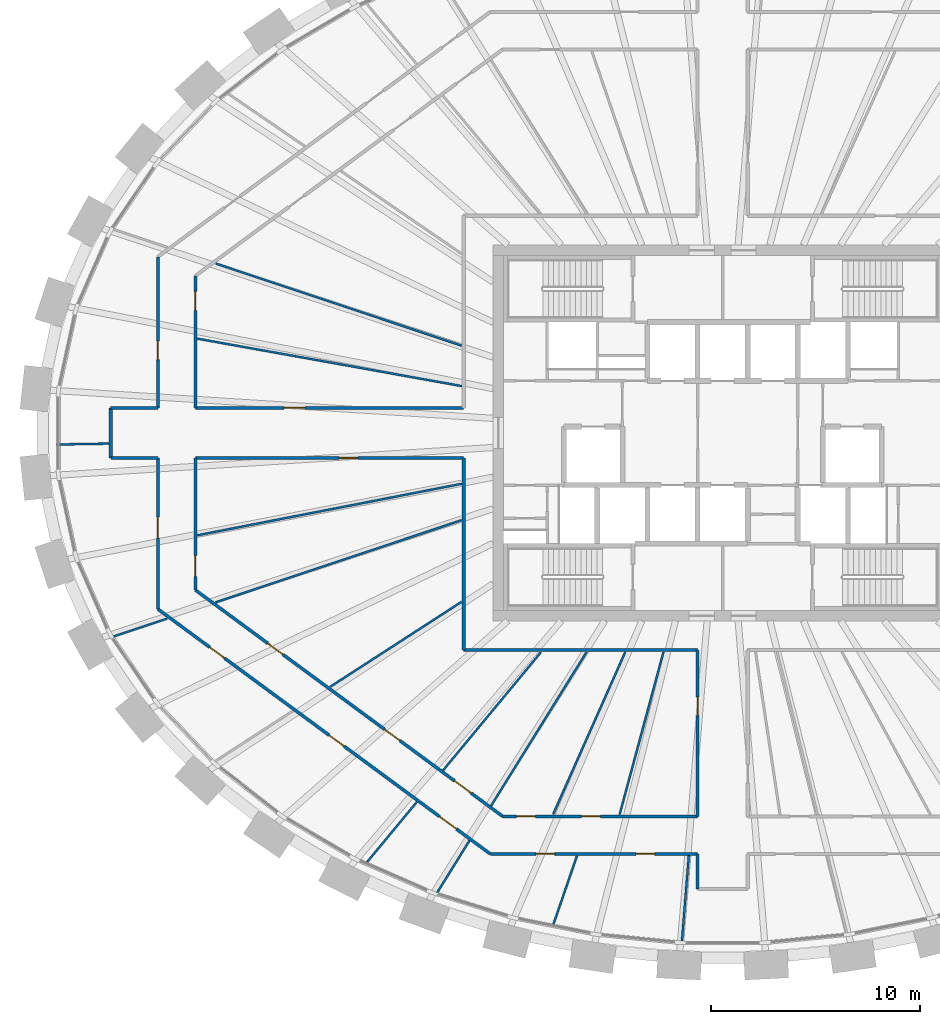
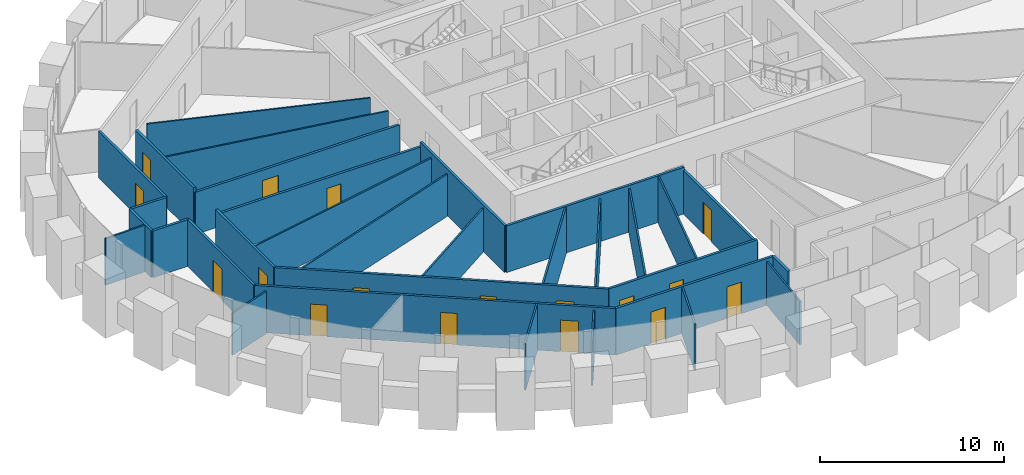
# One storey, part 6 of 12: 32 walls, 17 doors, 17 openings.
"""IFC4 building model written with IfcOpenShell, lengths in metres."""

from ifc_helpers import new_model, si_unit, direction, frame, frame_2d, origin, place, context, subcontext, project, spatial, rectangle, extrude, source, transform, mapped, material, layer, layer_set, type_object, element, fill, save


model = new_model("IFC4")

# Units and contexts
model_context = context("Model", 3, precision=1e-05, world=origin(), true_north=direction((0.0, 1.0)))
body_context = subcontext(model_context, "Body", "Model", "MODEL_VIEW")
ifc_project = project(units=[si_unit("LENGTHUNIT", "METRE"), si_unit("AREAUNIT", "SQUARE_METRE"), si_unit("VOLUMEUNIT", "CUBIC_METRE"), si_unit("PLANEANGLEUNIT", "RADIAN"), si_unit("MASSUNIT", "GRAM", prefix="KILO")], contexts=[model_context])

# Site, building, storey
site_placement = place(None, origin())
site = spatial("IfcSite", under=ifc_project, at=site_placement, CompositionType="ELEMENT")
building_placement = place(site_placement, origin())
building = spatial("IfcBuilding", under=site, at=building_placement, Name="Embergate Tower", CompositionType="ELEMENT")
storey_placement = place(building_placement, frame((0.0, 0.0, 261.699951171875)))
storey = spatial("IfcBuildingStorey", under=building, at=storey_placement, Name="L60", CompositionType="ELEMENT", Elevation=261.699951171875)

# Walls
ifc_material_1 = material(Name="Corridor wall dry-lined 150")
ifc_layer_1 = layer(ifc_material_1, 0.14990234375)
ifc_layer_set_1 = layer_set([ifc_layer_1], Name="Corridor wall dry-lined 150")
wall_type_1 = type_object("IfcWallType", Name="Corridor wall dry-lined 150", PredefinedType="PARTITIONING", material=ifc_layer_set_1)
shared_shape_1 = source(origin(), body_context, "Body", "SweptSolid", [
    extrude(rectangle(XDim=9.199951171875, YDim=0.14990234375, at=frame_2d((4.60009765625, 0.0))), origin(), (0.0, 0.0, 1.0), 3.10009765625),
])
wall_1_placement = place(storey_placement, frame((-12.39990234375, -10.39990234375, 0.0), z_axis=(0.0, 0.0, 1.0), x_axis=(0.0, 1.0, 0.0)))
element("IfcWall", 1, at=wall_1_placement, inside=storey, type_object=wall_type_1, Name="IP-2 wall", PredefinedType="PARTITIONING", context=body_context, shape_type="MappedRepresentation", body=[
    mapped(shared_shape_1, transform((0.0, 0.0, 0.0))),
])
shared_shape_2 = source(origin(), body_context, "Body", "SweptSolid", [
    extrude(rectangle(XDim=11.199951171875, YDim=0.14990234375, at=frame_2d((5.60009765625, 0.0))), origin(), (0.0, 0.0, 1.0), 3.10009765625),
])
wall_2_placement = place(storey_placement, frame((-12.39990234375, -10.39990234375, 0.0), z_axis=(0.0, 0.0, 1.0), x_axis=(1.0, 0.0, 0.0)))
element("IfcWall", 2, at=wall_2_placement, inside=storey, type_object=wall_type_1, Name="IP-2 wall", PredefinedType="PARTITIONING", context=body_context, shape_type="MappedRepresentation", body=[
    mapped(shared_shape_2, transform((0.0, 0.0, 0.0))),
])
shared_shape_3 = source(origin(), body_context, "Body", "SweptSolid", [
    extrude(rectangle(XDim=2.39990234375, YDim=0.14990234375, at=frame_2d((1.199951171875, 0.0))), origin(), (0.0, 0.0, 1.0), 3.10009765625),
])
wall_3_placement = place(storey_placement, frame((-29.300048828125, -1.199951171875, 0.0), z_axis=(0.0, 0.0, 1.0), x_axis=(0.0, 1.0, 0.0)))
element("IfcWall", 3, at=wall_3_placement, inside=storey, type_object=wall_type_1, Name="IP-2 wall", PredefinedType="PARTITIONING", context=body_context, shape_type="MappedRepresentation", body=[
    mapped(shared_shape_3, transform((0.0, 0.0, 0.0))),
])

# Wall, opening, door
shared_shape_4 = source(origin(), body_context, "Body", "SweptSolid", [
    extrude(rectangle(XDim=12.84619140625, YDim=0.14990234375, at=frame_2d((6.423095703125, 0.0))), origin(), (0.0, 0.0, 1.0), 2.800048828125),
])
wall_4_placement = place(storey_placement, frame((-12.39990234375, -1.199951171875, 0.0), z_axis=(0.0, 0.0, 1.0), x_axis=(-1.0, 0.0, 0.0)))
wall_4 = element("IfcWall", 4, at=wall_4_placement, inside=storey, type_object=wall_type_1, Name="IP-2 wall", PredefinedType="PARTITIONING", context=body_context, shape_type="MappedRepresentation", body=[
    mapped(shared_shape_4, transform((0.0, 0.0, 0.0))),
])
shared_shape_5 = source(origin(), body_context, "Body", "SweptSolid", [
    extrude(rectangle(XDim=0.89990234375, YDim=2.10009765625, at=frame_2d((0.449951171875, 1.050048828125))), frame((0.0, 0.0849609375, 0.0), z_axis=(0.0, -1.0, 0.0), x_axis=(1.0, 0.0, 0.0)), (0.0, 0.0, 1.0), 0.169921875),
])
opening_1_placement = place(wall_4_placement, frame((5.06494140625, 0.0, 0.0)))
opening_1 = element("IfcOpeningElement", 5, at=opening_1_placement, cuts=wall_4, Name="Opening IF-1c", PredefinedType="OPENING", context=body_context, shape_type="MappedRepresentation", body=[
    mapped(shared_shape_5, transform((0.0, 0.0, 0.0))),
])
ifc_material_2 = material(Name="Escape fire door 900")
door_type_1 = type_object("IfcDoorType", Name="Escape fire door 900", OperationType="SINGLE_SWING_LEFT", PredefinedType="DOOR", material=ifc_material_2)
shared_shape_6 = source(origin(), body_context, "Body", "SweptSolid", [
    extrude(rectangle(XDim=0.89990234375, YDim=2.10009765625, at=frame_2d((0.449951171875, 1.050048828125))), frame((0.0, 0.02490234375, 0.0), z_axis=(0.0, -1.0, 0.0), x_axis=(1.0, 0.0, 0.0)), (0.0, 0.0, 1.0), 0.050048828125),
])
door_1_placement = place(opening_1_placement, origin())
door_1 = element("IfcDoor", 6, at=door_1_placement, inside=storey, type_object=door_type_1, Name="IF-1 door", OperationType="SINGLE_SWING_RIGHT", OverallHeight=2.10009765625, OverallWidth=0.89990234375, PredefinedType="DOOR", context=body_context, shape_type="MappedRepresentation", body=[
    mapped(shared_shape_6, transform((0.0, 0.0, 0.0))),
])
fill(opening_1, door_1)

wall_5_placement = place(storey_placement, frame((-25.24609375, 1.199951171875, 0.0), z_axis=(0.0, 0.0, 1.0), x_axis=(1.0, 0.0, 0.0)))
wall_5 = element("IfcWall", 7, at=wall_5_placement, inside=storey, type_object=wall_type_1, Name="IP-2 wall", PredefinedType="PARTITIONING", context=body_context, shape_type="MappedRepresentation", body=[
    mapped(shared_shape_4, transform((0.0, 0.0, 0.0))),
])
shared_shape_7 = source(origin(), body_context, "Body", "SweptSolid", [
    extrude(rectangle(XDim=1.0, YDim=2.10009765625, at=frame_2d((0.5, 1.050048828125))), frame((0.0, 0.0849609375, 0.0), z_axis=(0.0, -1.0, 0.0), x_axis=(1.0, 0.0, 0.0)), (0.0, 0.0, 1.0), 0.169921875),
])
opening_2_placement = place(wall_5_placement, frame((4.23583984375, 0.0, 0.0)))
opening_2 = element("IfcOpeningElement", 8, at=opening_2_placement, cuts=wall_5, Name="Opening ID-2", PredefinedType="OPENING", context=body_context, shape_type="MappedRepresentation", body=[
    mapped(shared_shape_7, transform((0.0, 0.0, 0.0))),
])
ifc_material_3 = material(Name="Interior door 1000")
door_type_2 = type_object("IfcDoorType", Name="Interior door 1000", OperationType="SINGLE_SWING_LEFT", PredefinedType="DOOR", material=ifc_material_3)
shared_shape_8 = source(origin(), body_context, "Body", "SweptSolid", [
    extrude(rectangle(XDim=1.0, YDim=2.10009765625, at=frame_2d((0.5, 1.050048828125))), frame((0.0, 0.02490234375, 0.0), z_axis=(0.0, -1.0, 0.0), x_axis=(1.0, 0.0, 0.0)), (0.0, 0.0, 1.0), 0.050048828125),
])
door_2_placement = place(opening_2_placement, origin())
door_2 = element("IfcDoor", 9, at=door_2_placement, inside=storey, type_object=door_type_2, Name="ID-2 door", OperationType="SINGLE_SWING_LEFT", OverallHeight=2.10009765625, OverallWidth=1.0, PredefinedType="DOOR", context=body_context, shape_type="MappedRepresentation", body=[
    mapped(shared_shape_8, transform((0.0, 0.0, 0.0))),
])
fill(opening_2, door_2)

# Walls
ifc_material_4 = material(Name="Partition dry-lined 100")
ifc_layer_2 = layer(ifc_material_4, 0.10009765625)
ifc_layer_set_2 = layer_set([ifc_layer_2], Name="Partition dry-lined 100")
wall_type_2 = type_object("IfcWallType", Name="Partition dry-lined 100", PredefinedType="PARTITIONING", material=ifc_layer_set_2)
shared_shape_9 = source(origin(), body_context, "Body", "SweptSolid", [
    extrude(rectangle(XDim=2.776123046875, YDim=0.10009765625, at=frame_2d((1.38818359375, 0.0))), origin(), (0.0, 0.0, 1.0), 2.800048828125),
])
wall_6_placement = place(storey_placement, frame((-26.59912109375, -8.889892578125, 0.0), z_axis=(0.0, 0.0, 1.0), x_axis=(-0.948410312692, -0.317045546852, 0.0)))
element("IfcWall", 10, at=wall_6_placement, inside=storey, type_object=wall_type_2, Name="IP-1 wall", PredefinedType="PARTITIONING", context=body_context, shape_type="MappedRepresentation", body=[
    mapped(shared_shape_9, transform((0.0, 0.0, 0.0))),
])
shared_shape_10 = source(origin(), body_context, "Body", "SweptSolid", [
    extrude(rectangle(XDim=12.42041015625, YDim=0.10009765625, at=frame_2d((6.210205078125, 0.0))), origin(), (0.0, 0.0, 1.0), 2.800048828125),
])
for number, where, z_axis, x_axis, name in (
    (11, (-12.490966796875, -4.175048828125, 0.0), (0.0, 0.0, 1.0), (-0.948433368171, -0.316976570333, 0.0), "IP-1 wall"),
    (12, (-12.490966796875, 4.175048828125, 0.0), (0.0, 0.0, 1.0), (-0.948433368171, 0.316976570333, 0.0), "IP-1 wall"),
):
    element("IfcWall", number, at=place(storey_placement, frame(where, z_axis=z_axis, x_axis=x_axis)), inside=storey, type_object=wall_type_2, Name=name, PredefinedType="PARTITIONING", context=body_context, shape_type="MappedRepresentation", body=[
        mapped(shared_shape_10, transform((0.0, 0.0, 0.0))),
    ])
shared_shape_11 = source(origin(), body_context, "Body", "SweptSolid", [
    extrude(rectangle(XDim=12.914306640625, YDim=0.10009765625, at=frame_2d((6.45703125, 0.0))), origin(), (0.0, 0.0, 1.0), 2.800048828125),
])
wall_7_placement = place(storey_placement, frame((-12.485107421875, -2.43310546875, 0.0), z_axis=(0.0, 0.0, 1.0), x_axis=(-0.981539355242, -0.191260278447, 0.0)))
element("IfcWall", 13, at=wall_7_placement, inside=storey, type_object=wall_type_2, Name="IP-1 wall", PredefinedType="PARTITIONING", context=body_context, shape_type="MappedRepresentation", body=[
    mapped(shared_shape_11, transform((0.0, 0.0, 0.0))),
])

# Wall, openings, doors
shared_shape_12 = source(origin(), body_context, "Body", "SweptSolid", [
    extrude(rectangle(XDim=19.77294921875, YDim=0.14990234375, at=frame_2d((9.886474609375, 0.0))), origin(), (0.0, 0.0, 1.0), 3.10009765625),
])
wall_8_placement = place(storey_placement, frame((-11.1259765625, -20.158935546875, 0.0), z_axis=(0.0, 0.0, 1.0), x_axis=(-0.805138380898, 0.593086998344, 0.0)))
wall_8 = element("IfcWall", 14, at=wall_8_placement, inside=storey, type_object=wall_type_1, Name="IP-2 wall", PredefinedType="PARTITIONING", context=body_context, shape_type="MappedRepresentation", body=[
    mapped(shared_shape_12, transform((0.0, 0.0, 0.0))),
])
opening_3_placement = place(wall_8_placement, frame((15.79248046875, 0.0, 0.0)))
opening_3 = element("IfcOpeningElement", 15, at=opening_3_placement, cuts=wall_8, Name="Opening IF-1c", PredefinedType="OPENING", context=body_context, shape_type="MappedRepresentation", body=[
    mapped(shared_shape_5, transform((0.0, 0.0, 0.0))),
])
opening_4_placement = place(wall_8_placement, frame((8.685546875, 0.0, 0.0)))
opening_4 = element("IfcOpeningElement", 16, at=opening_4_placement, cuts=wall_8, Name="Opening IF-1c", PredefinedType="OPENING", context=body_context, shape_type="MappedRepresentation", body=[
    mapped(shared_shape_5, transform((0.0, 0.0, 0.0))),
])
opening_5_placement = place(wall_8_placement, frame((2.017822265625, 0.0, 0.0)))
opening_5 = element("IfcOpeningElement", 17, at=opening_5_placement, cuts=wall_8, Name="Opening ID-2", PredefinedType="OPENING", context=body_context, shape_type="MappedRepresentation", body=[
    mapped(shared_shape_7, transform((0.0, 0.0, 0.0))),
])
door_3_placement = place(opening_3_placement, origin())
door_3 = element("IfcDoor", 18, at=door_3_placement, inside=storey, type_object=door_type_1, Name="IF-1 door", OperationType="SINGLE_SWING_LEFT", OverallHeight=2.10009765625, OverallWidth=0.89990234375, PredefinedType="DOOR", context=body_context, shape_type="MappedRepresentation", body=[
    mapped(shared_shape_6, transform((0.0, 0.0, 0.0))),
])
fill(opening_3, door_3)
door_4_placement = place(opening_4_placement, origin())
door_4 = element("IfcDoor", 19, at=door_4_placement, inside=storey, type_object=door_type_1, Name="IF-1 door", OperationType="SINGLE_SWING_RIGHT", OverallHeight=2.10009765625, OverallWidth=0.89990234375, PredefinedType="DOOR", context=body_context, shape_type="MappedRepresentation", body=[
    mapped(shared_shape_6, transform((0.0, 0.0, 0.0))),
])
fill(opening_4, door_4)
door_5_placement = place(opening_5_placement, origin())
door_5 = element("IfcDoor", 20, at=door_5_placement, inside=storey, type_object=door_type_2, Name="ID-2 door", OperationType="SINGLE_SWING_RIGHT", OverallHeight=2.10009765625, OverallWidth=1.0, PredefinedType="DOOR", context=body_context, shape_type="MappedRepresentation", body=[
    mapped(shared_shape_8, transform((0.0, 0.0, 0.0))),
])
fill(opening_5, door_5)

shared_shape_13 = source(origin(), body_context, "Body", "SweptSolid", [
    extrude(rectangle(XDim=18.27197265625, YDim=0.14990234375, at=frame_2d((9.135986328125, 0.0))), origin(), (0.0, 0.0, 1.0), 3.10009765625),
])
wall_9_placement = place(storey_placement, frame((-25.24609375, -7.52294921875, 0.0), z_axis=(0.0, 0.0, 1.0), x_axis=(0.805176050135, -0.593035857507, 0.0)))
wall_9 = element("IfcWall", 21, at=wall_9_placement, inside=storey, type_object=wall_type_1, Name="IP-2 wall", PredefinedType="PARTITIONING", context=body_context, shape_type="MappedRepresentation", body=[
    mapped(shared_shape_13, transform((0.0, 0.0, 0.0))),
])
opening_6_placement = place(wall_9_placement, frame((4.302734375, 0.0, 0.0)))
opening_6 = element("IfcOpeningElement", 22, at=opening_6_placement, cuts=wall_9, Name="Opening IF-1c", PredefinedType="OPENING", context=body_context, shape_type="MappedRepresentation", body=[
    mapped(shared_shape_5, transform((0.0, 0.0, 0.0))),
])
opening_7_placement = place(wall_9_placement, frame((11.257080078125, 0.0, 0.0)))
opening_7 = element("IfcOpeningElement", 23, at=opening_7_placement, cuts=wall_9, Name="Opening IF-1c", PredefinedType="OPENING", context=body_context, shape_type="MappedRepresentation", body=[
    mapped(shared_shape_5, transform((0.0, 0.0, 0.0))),
])
opening_8_placement = place(wall_9_placement, frame((15.406005859375, 0.0, 0.0)))
opening_8 = element("IfcOpeningElement", 24, at=opening_8_placement, cuts=wall_9, Name="Opening ID-2", PredefinedType="OPENING", context=body_context, shape_type="MappedRepresentation", body=[
    mapped(shared_shape_7, transform((0.0, 0.0, 0.0))),
])
door_6_placement = place(opening_6_placement, origin())
door_6 = element("IfcDoor", 25, at=door_6_placement, inside=storey, type_object=door_type_1, Name="IF-1 door", OperationType="SINGLE_SWING_RIGHT", OverallHeight=2.10009765625, OverallWidth=0.89990234375, PredefinedType="DOOR", context=body_context, shape_type="MappedRepresentation", body=[
    mapped(shared_shape_6, transform((0.0, 0.0, 0.0))),
])
fill(opening_6, door_6)
door_7_placement = place(opening_7_placement, origin())
door_7 = element("IfcDoor", 26, at=door_7_placement, inside=storey, type_object=door_type_1, Name="IF-1 door", OperationType="SINGLE_SWING_RIGHT", OverallHeight=2.10009765625, OverallWidth=0.89990234375, PredefinedType="DOOR", context=body_context, shape_type="MappedRepresentation", body=[
    mapped(shared_shape_6, transform((0.0, 0.0, 0.0))),
])
fill(opening_7, door_7)
door_8_placement = place(opening_8_placement, origin())
door_8 = element("IfcDoor", 27, at=door_8_placement, inside=storey, type_object=door_type_2, Name="ID-2 door", OperationType="SINGLE_SWING_LEFT", OverallHeight=2.10009765625, OverallWidth=1.0, PredefinedType="DOOR", context=body_context, shape_type="MappedRepresentation", body=[
    mapped(shared_shape_8, transform((0.0, 0.0, 0.0))),
])
fill(opening_8, door_8)

ifc_material_5 = material(Name="Corridor wall dry-lined 150 wet")
ifc_layer_3 = layer(ifc_material_5, 0.14990234375)
ifc_layer_set_3 = layer_set([ifc_layer_3], Name="Corridor wall dry-lined 150 wet")
wall_type_3 = type_object("IfcWallType", Name="Corridor wall dry-lined 150 wet", PredefinedType="PLUMBINGWALL", material=ifc_layer_set_3)
shared_shape_14 = source(origin(), body_context, "Body", "SweptSolid", [
    extrude(rectangle(XDim=9.926025390625, YDim=0.14990234375, at=frame_2d((4.962890625, 0.0))), origin(), (0.0, 0.0, 1.0), 3.10009765625),
])
wall_10_placement = place(storey_placement, frame((-11.1259765625, -20.158935546875, 0.0), z_axis=(0.0, 0.0, 1.0), x_axis=(1.0, 0.0, 0.0)))
wall_10 = element("IfcWall", 28, at=wall_10_placement, inside=storey, type_object=wall_type_3, Name="IP-2 wall", PredefinedType="PLUMBINGWALL", context=body_context, shape_type="MappedRepresentation", body=[
    mapped(shared_shape_14, transform((0.0, 0.0, 0.0))),
])
opening_9_placement = place(wall_10_placement, frame((2.1806640625, 0.0, 0.0)))
opening_9 = element("IfcOpeningElement", 29, at=opening_9_placement, cuts=wall_10, Name="Opening IF-1c", PredefinedType="OPENING", context=body_context, shape_type="MappedRepresentation", body=[
    mapped(shared_shape_5, transform((0.0, 0.0, 0.0))),
])
opening_10_placement = place(wall_10_placement, frame((6.970703125, 0.0, 0.0)))
opening_10 = element("IfcOpeningElement", 30, at=opening_10_placement, cuts=wall_10, Name="Opening IF-1c", PredefinedType="OPENING", context=body_context, shape_type="MappedRepresentation", body=[
    mapped(shared_shape_5, transform((0.0, 0.0, 0.0))),
])
door_9_placement = place(opening_9_placement, origin())
door_9 = element("IfcDoor", 31, at=door_9_placement, inside=storey, type_object=door_type_1, Name="IF-1 door", OperationType="SINGLE_SWING_LEFT", OverallHeight=2.10009765625, OverallWidth=0.89990234375, PredefinedType="DOOR", context=body_context, shape_type="MappedRepresentation", body=[
    mapped(shared_shape_6, transform((0.0, 0.0, 0.0))),
])
fill(opening_9, door_9)
door_10_placement = place(opening_10_placement, origin())
door_10 = element("IfcDoor", 32, at=door_10_placement, inside=storey, type_object=door_type_1, Name="IF-1 door", OperationType="SINGLE_SWING_LEFT", OverallHeight=2.10009765625, OverallWidth=0.89990234375, PredefinedType="DOOR", context=body_context, shape_type="MappedRepresentation", body=[
    mapped(shared_shape_6, transform((0.0, 0.0, 0.0))),
])
fill(opening_10, door_10)

# Wall
shared_shape_15 = source(origin(), body_context, "Body", "SweptSolid", [
    extrude(rectangle(XDim=1.68701171875, YDim=0.14990234375, at=frame_2d((0.843505859375, 0.0))), origin(), (0.0, 0.0, 1.0), 3.10009765625),
])
wall_11_placement = place(storey_placement, frame((-1.199951171875, -21.845947265625, 0.0), z_axis=(0.0, 0.0, 1.0), x_axis=(0.0, 1.0, 0.0)))
element("IfcWall", 33, at=wall_11_placement, inside=storey, type_object=wall_type_3, Name="IP-2 wall", PredefinedType="PLUMBINGWALL", context=body_context, shape_type="MappedRepresentation", body=[
    mapped(shared_shape_15, transform((0.0, 0.0, 0.0))),
])

# Wall, openings, doors
shared_shape_16 = source(origin(), body_context, "Body", "SweptSolid", [
    extrude(rectangle(XDim=9.333984375, YDim=0.14990234375, at=frame_2d((4.6669921875, 0.0))), origin(), (0.0, 0.0, 1.0), 3.10009765625),
])
wall_12_placement = place(storey_placement, frame((-10.533935546875, -18.35888671875, 0.0), z_axis=(0.0, 0.0, 1.0), x_axis=(1.0, 0.0, 0.0)))
wall_12 = element("IfcWall", 34, at=wall_12_placement, inside=storey, type_object=wall_type_3, Name="IP-2 wall", PredefinedType="PLUMBINGWALL", context=body_context, shape_type="MappedRepresentation", body=[
    mapped(shared_shape_16, transform((0.0, 0.0, 0.0))),
])
opening_11_placement = place(wall_12_placement, frame((0.667236328125, 0.0, 0.0)))
opening_11 = element("IfcOpeningElement", 35, at=opening_11_placement, cuts=wall_12, Name="Opening IF-1c", PredefinedType="OPENING", context=body_context, shape_type="MappedRepresentation", body=[
    mapped(shared_shape_5, transform((0.0, 0.0, 0.0))),
])
opening_12_placement = place(wall_12_placement, frame((3.78125, 0.0, 0.0)))
opening_12 = element("IfcOpeningElement", 36, at=opening_12_placement, cuts=wall_12, Name="Opening IF-1c", PredefinedType="OPENING", context=body_context, shape_type="MappedRepresentation", body=[
    mapped(shared_shape_5, transform((0.0, 0.0, 0.0))),
])
door_11_placement = place(opening_11_placement, origin())
door_11 = element("IfcDoor", 37, at=door_11_placement, inside=storey, type_object=door_type_1, Name="IF-1 door", OperationType="SINGLE_SWING_RIGHT", OverallHeight=2.10009765625, OverallWidth=0.89990234375, PredefinedType="DOOR", context=body_context, shape_type="MappedRepresentation", body=[
    mapped(shared_shape_6, transform((0.0, 0.0, 0.0))),
])
fill(opening_11, door_11)
door_12_placement = place(opening_12_placement, origin())
door_12 = element("IfcDoor", 38, at=door_12_placement, inside=storey, type_object=door_type_1, Name="IF-1 door", OperationType="SINGLE_SWING_RIGHT", OverallHeight=2.10009765625, OverallWidth=0.89990234375, PredefinedType="DOOR", context=body_context, shape_type="MappedRepresentation", body=[
    mapped(shared_shape_6, transform((0.0, 0.0, 0.0))),
])
fill(opening_12, door_12)

# Wall, opening, door
shared_shape_17 = source(origin(), body_context, "Body", "SweptSolid", [
    extrude(rectangle(XDim=7.958984375, YDim=0.14990234375, at=frame_2d((3.9794921875, 0.0))), origin(), (0.0, 0.0, 1.0), 2.900146484375),
])
wall_13_placement = place(storey_placement, frame((-1.199951171875, -18.35888671875, 0.0), z_axis=(0.0, 0.0, 1.0), x_axis=(0.0, 1.0, 0.0)))
wall_13 = element("IfcWall", 39, at=wall_13_placement, inside=storey, type_object=wall_type_3, Name="IP-2 wall", PredefinedType="PLUMBINGWALL", context=body_context, shape_type="MappedRepresentation", body=[
    mapped(shared_shape_17, transform((0.0, 0.0, 0.0))),
])
opening_13_placement = place(wall_13_placement, frame((4.8212890625, 0.0, 0.0)))
opening_13 = element("IfcOpeningElement", 40, at=opening_13_placement, cuts=wall_13, Name="Opening IF-1c", PredefinedType="OPENING", context=body_context, shape_type="MappedRepresentation", body=[
    mapped(shared_shape_5, transform((0.0, 0.0, 0.0))),
])
door_13_placement = place(opening_13_placement, origin())
door_13 = element("IfcDoor", 41, at=door_13_placement, inside=storey, type_object=door_type_1, Name="IF-1 door", OperationType="SINGLE_SWING_LEFT", OverallHeight=2.10009765625, OverallWidth=0.89990234375, PredefinedType="DOOR", context=body_context, shape_type="MappedRepresentation", body=[
    mapped(shared_shape_6, transform((0.0, 0.0, 0.0))),
])
fill(opening_13, door_13)

shared_shape_18 = source(origin(), body_context, "Body", "SweptSolid", [
    extrude(rectangle(XDim=7.23193359375, YDim=0.14990234375, at=frame_2d((3.615966796875, 0.0))), origin(), (0.0, 0.0, 1.0), 3.10009765625),
])
wall_14_placement = place(storey_placement, frame((-27.0458984375, 1.199951171875, 0.0), z_axis=(0.0, 0.0, 1.0), x_axis=(0.0, 1.0, 0.0)))
wall_14 = element("IfcWall", 42, at=wall_14_placement, inside=storey, type_object=wall_type_1, Name="IP-2 wall", PredefinedType="PARTITIONING", context=body_context, shape_type="MappedRepresentation", body=[
    mapped(shared_shape_18, transform((0.0, 0.0, 0.0))),
])
opening_14_placement = place(wall_14_placement, frame((2.305908203125, 0.0, 0.0)))
opening_14 = element("IfcOpeningElement", 43, at=opening_14_placement, cuts=wall_14, Name="Opening IF-1c", PredefinedType="OPENING", context=body_context, shape_type="MappedRepresentation", body=[
    mapped(shared_shape_5, transform((0.0, 0.0, 0.0))),
])
door_14_placement = place(opening_14_placement, origin())
door_14 = element("IfcDoor", 44, at=door_14_placement, inside=storey, type_object=door_type_1, Name="IF-1 door", OperationType="SINGLE_SWING_RIGHT", OverallHeight=2.10009765625, OverallWidth=0.89990234375, PredefinedType="DOOR", context=body_context, shape_type="MappedRepresentation", body=[
    mapped(shared_shape_6, transform((0.0, 0.0, 0.0))),
])
fill(opening_14, door_14)

wall_15_placement = place(storey_placement, frame((-27.0458984375, -8.431884765625, 0.0), z_axis=(0.0, 0.0, 1.0), x_axis=(0.0, 1.0, 0.0)))
wall_15 = element("IfcWall", 45, at=wall_15_placement, inside=storey, type_object=wall_type_1, Name="IP-2 wall", PredefinedType="PARTITIONING", context=body_context, shape_type="MappedRepresentation", body=[
    mapped(shared_shape_18, transform((0.0, 0.0, 0.0))),
])
opening_15_placement = place(wall_15_placement, frame((3.397216796875, 0.0, 0.0)))
opening_15 = element("IfcOpeningElement", 46, at=opening_15_placement, cuts=wall_15, Name="Opening ID-2", PredefinedType="OPENING", context=body_context, shape_type="MappedRepresentation", body=[
    mapped(shared_shape_7, transform((0.0, 0.0, 0.0))),
])
door_15_placement = place(opening_15_placement, origin())
door_15 = element("IfcDoor", 47, at=door_15_placement, inside=storey, type_object=door_type_2, Name="ID-2 door", OperationType="SINGLE_SWING_RIGHT", OverallHeight=2.10009765625, OverallWidth=1.0, PredefinedType="DOOR", context=body_context, shape_type="MappedRepresentation", body=[
    mapped(shared_shape_8, transform((0.0, 0.0, 0.0))),
])
fill(opening_15, door_15)

# Walls
shared_shape_19 = source(origin(), body_context, "Body", "SweptSolid", [
    extrude(rectangle(XDim=2.254150390625, YDim=0.14990234375, at=frame_2d((1.126953125, 0.0))), origin(), (0.0, 0.0, 1.0), 3.10009765625),
])
for number, where, z_axis, x_axis, name in (
    (48, (-29.300048828125, 1.199951171875, 0.0), (0.0, 0.0, 1.0), (1.0, 0.0, 0.0), "IP-2 wall"),
    (49, (-27.0458984375, -1.199951171875, 0.0), (0.0, 0.0, 1.0), (-1.0, 0.0, 0.0), "IP-2 wall"),
):
    element("IfcWall", number, at=place(storey_placement, frame(where, z_axis=z_axis, x_axis=x_axis)), inside=storey, type_object=wall_type_1, Name=name, PredefinedType="PARTITIONING", context=body_context, shape_type="MappedRepresentation", body=[
        mapped(shared_shape_19, transform((0.0, 0.0, 0.0))),
    ])

# Wall, opening, door
shared_shape_20 = source(origin(), body_context, "Body", "SweptSolid", [
    extrude(rectangle(XDim=6.322998046875, YDim=0.14990234375, at=frame_2d((3.16162109375, 0.0))), origin(), (0.0, 0.0, 1.0), 3.10009765625),
])
wall_16_placement = place(storey_placement, frame((-25.24609375, -1.199951171875, 0.0), z_axis=(0.0, 0.0, 1.0), x_axis=(0.0, -1.0, 0.0)))
wall_16 = element("IfcWall", 50, at=wall_16_placement, inside=storey, type_object=wall_type_1, Name="IP-2 wall", PredefinedType="PARTITIONING", context=body_context, shape_type="MappedRepresentation", body=[
    mapped(shared_shape_20, transform((0.0, 0.0, 0.0))),
])
opening_16_placement = place(wall_16_placement, frame((4.6708984375, 0.0, 0.0)))
opening_16 = element("IfcOpeningElement", 51, at=opening_16_placement, cuts=wall_16, Name="Opening ID-2", PredefinedType="OPENING", context=body_context, shape_type="MappedRepresentation", body=[
    mapped(shared_shape_7, transform((0.0, 0.0, 0.0))),
])
door_16_placement = place(opening_16_placement, origin())
door_16 = element("IfcDoor", 52, at=door_16_placement, inside=storey, type_object=door_type_2, Name="ID-2 door", OperationType="SINGLE_SWING_LEFT", OverallHeight=2.10009765625, OverallWidth=1.0, PredefinedType="DOOR", context=body_context, shape_type="MappedRepresentation", body=[
    mapped(shared_shape_8, transform((0.0, 0.0, 0.0))),
])
fill(opening_16, door_16)

wall_17_placement = place(storey_placement, frame((-25.24609375, 1.199951171875, 0.0), z_axis=(0.0, 0.0, 1.0), x_axis=(0.0, 1.0, 0.0)))
wall_17 = element("IfcWall", 53, at=wall_17_placement, inside=storey, type_object=wall_type_1, Name="IP-2 wall", PredefinedType="PARTITIONING", context=body_context, shape_type="MappedRepresentation", body=[
    mapped(shared_shape_20, transform((0.0, 0.0, 0.0))),
])
opening_17_placement = place(wall_17_placement, frame((4.674072265625, 0.0, 0.0)))
opening_17 = element("IfcOpeningElement", 54, at=opening_17_placement, cuts=wall_17, Name="Opening IF-1c", PredefinedType="OPENING", context=body_context, shape_type="MappedRepresentation", body=[
    mapped(shared_shape_5, transform((0.0, 0.0, 0.0))),
])
door_17_placement = place(opening_17_placement, origin())
door_17 = element("IfcDoor", 55, at=door_17_placement, inside=storey, type_object=door_type_1, Name="IF-1 door", OperationType="SINGLE_SWING_LEFT", OverallHeight=2.10009765625, OverallWidth=0.89990234375, PredefinedType="DOOR", context=body_context, shape_type="MappedRepresentation", body=[
    mapped(shared_shape_6, transform((0.0, 0.0, 0.0))),
])
fill(opening_17, door_17)

# Walls
shared_shape_21 = source(origin(), body_context, "Body", "SweptSolid", [
    extrude(rectangle(XDim=3.8505859375, YDim=0.10009765625, at=frame_2d((1.92529296875, 0.0))), origin(), (0.0, 0.0, 1.0), 3.10009765625),
])
wall_18_placement = place(storey_placement, frame((-14.637939453125, -17.6650390625, 0.0), z_axis=(0.0, 0.0, 1.0), x_axis=(-0.638086604926, -0.769964599585, 0.0)))
element("IfcWall", 56, at=wall_18_placement, inside=storey, type_object=wall_type_2, Name="IP-1 wall", PredefinedType="PARTITIONING", context=body_context, shape_type="MappedRepresentation", body=[
    mapped(shared_shape_21, transform((0.0, 0.0, 0.0))),
])
ifc_material_6 = material(Name="Partition dry-lined 100 wet")
ifc_layer_4 = layer(ifc_material_6, 0.10009765625)
ifc_layer_set_4 = layer_set([ifc_layer_4], Name="Partition dry-lined 100 wet")
wall_type_4 = type_object("IfcWallType", Name="Partition dry-lined 100 wet", PredefinedType="PLUMBINGWALL", material=ifc_layer_set_4)
shared_shape_22 = source(origin(), body_context, "Body", "SweptSolid", [
    extrude(rectangle(XDim=3.001953125, YDim=0.10009765625, at=frame_2d((1.5009765625, 0.0))), origin(), (0.0, 0.0, 1.0), 2.900146484375),
])
wall_19_placement = place(storey_placement, frame((-12.12109375, -19.51904296875, 0.0), z_axis=(0.0, 0.0, 1.0), x_axis=(-0.527650303737, -0.84946168658, 0.0)))
element("IfcWall", 57, at=wall_19_placement, inside=storey, type_object=wall_type_4, Name="IP-1 wall", PredefinedType="PLUMBINGWALL", context=body_context, shape_type="MappedRepresentation", body=[
    mapped(shared_shape_22, transform((0.0, 0.0, 0.0))),
])
shared_shape_23 = source(origin(), body_context, "Body", "SweptSolid", [
    extrude(rectangle(XDim=7.494873046875, YDim=0.10009765625, at=frame_2d((3.74755859375, 0.0))), origin(), (0.0, 0.0, 1.0), 2.900146484375),
])
wall_20_placement = place(storey_placement, frame((-12.501953125, -8.087890625, 0.0), z_axis=(0.0, 0.0, 1.0), x_axis=(-0.83962346299, -0.543168887545, 0.0)))
element("IfcWall", 58, at=wall_20_placement, inside=storey, type_object=wall_type_2, Name="IP-1 wall", PredefinedType="PARTITIONING", context=body_context, shape_type="MappedRepresentation", body=[
    mapped(shared_shape_23, transform((0.0, 0.0, 0.0))),
])
shared_shape_24 = source(origin(), body_context, "Body", "SweptSolid", [
    extrude(rectangle(XDim=7.34326171875, YDim=0.10009765625, at=frame_2d((3.671630859375, 0.0))), origin(), (0.0, 0.0, 1.0), 3.10009765625),
])
wall_21_placement = place(storey_placement, frame((-8.7060546875, -10.507080078125, 0.0), z_axis=(0.0, 0.0, 1.0), x_axis=(-0.638135008944, -0.769924483543, 0.0)))
element("IfcWall", 59, at=wall_21_placement, inside=storey, type_object=wall_type_2, Name="IP-1 wall", PredefinedType="PARTITIONING", context=body_context, shape_type="MappedRepresentation", body=[
    mapped(shared_shape_24, transform((0.0, 0.0, 0.0))),
])
shared_shape_25 = source(origin(), body_context, "Body", "SweptSolid", [
    extrude(rectangle(XDim=8.658935546875, YDim=0.10009765625, at=frame_2d((4.32958984375, 0.0))), origin(), (0.0, 0.0, 1.0), 2.900146484375),
])
wall_22_placement = place(storey_placement, frame((-6.52099609375, -10.5009765625, 0.0), z_axis=(0.0, 0.0, 1.0), x_axis=(-0.527558664612, -0.849518602146, 0.0)))
element("IfcWall", 60, at=wall_22_placement, inside=storey, type_object=wall_type_4, Name="IP-1 wall", PredefinedType="PLUMBINGWALL", context=body_context, shape_type="MappedRepresentation", body=[
    mapped(shared_shape_25, transform((0.0, 0.0, 0.0))),
])
shared_shape_26 = source(origin(), body_context, "Body", "SweptSolid", [
    extrude(rectangle(XDim=3.57568359375, YDim=0.10009765625, at=frame_2d((1.787841796875, 0.0))), origin(), (0.0, 0.0, 1.0), 3.10009765625),
])
wall_23_placement = place(storey_placement, frame((-6.97509765625, -20.25, 0.0), z_axis=(0.0, 0.0, 1.0), x_axis=(-0.325470910557, -0.945552053766, 0.0)))
element("IfcWall", 61, at=wall_23_placement, inside=storey, type_object=wall_type_4, Name="IP-1 wall", PredefinedType="PLUMBINGWALL", context=body_context, shape_type="MappedRepresentation", body=[
    mapped(shared_shape_26, transform((0.0, 0.0, 0.0))),
])
shared_shape_27 = source(origin(), body_context, "Body", "SweptSolid", [
    extrude(rectangle(XDim=4.177490234375, YDim=0.10009765625, at=frame_2d((2.0888671875, 0.0))), origin(), (0.0, 0.0, 1.0), 2.900146484375),
])
wall_24_placement = place(storey_placement, frame((-1.62109375, -20.23388671875, 0.0), z_axis=(0.0, 0.0, 1.0), x_axis=(-0.079949630729, -0.996798904768, 0.0)))
element("IfcWall", 62, at=wall_24_placement, inside=storey, type_object=wall_type_4, Name="IP-1 wall", PredefinedType="PLUMBINGWALL", context=body_context, shape_type="MappedRepresentation", body=[
    mapped(shared_shape_27, transform((0.0, 0.0, 0.0))),
])
shared_shape_28 = source(origin(), body_context, "Body", "SweptSolid", [
    extrude(rectangle(XDim=8.501220703125, YDim=0.10009765625, at=frame_2d((4.25048828125, 0.0))), origin(), (0.0, 0.0, 1.0), 2.900146484375),
])
wall_25_placement = place(storey_placement, frame((-4.6650390625, -10.4951171875, 0.0), z_axis=(0.0, 0.0, 1.0), x_axis=(-0.406050532345, -0.913850625202, 0.0)))
element("IfcWall", 63, at=wall_25_placement, inside=storey, type_object=wall_type_4, Name="IP-1 wall", PredefinedType="PLUMBINGWALL", context=body_context, shape_type="MappedRepresentation", body=[
    mapped(shared_shape_28, transform((0.0, 0.0, 0.0))),
])
shared_shape_29 = source(origin(), body_context, "Body", "SweptSolid", [
    extrude(rectangle(XDim=8.0615234375, YDim=0.10009765625, at=frame_2d((4.03076171875, 0.0))), origin(), (0.0, 0.0, 1.0), 3.10009765625),
])
wall_26_placement = place(storey_placement, frame((-2.83203125, -10.488037109375, 0.0), z_axis=(0.0, 0.0, 1.0), x_axis=(-0.260628310505, -0.965439218057, 0.0)))
element("IfcWall", 64, at=wall_26_placement, inside=storey, type_object=wall_type_4, Name="IP-1 wall", PredefinedType="PLUMBINGWALL", context=body_context, shape_type="MappedRepresentation", body=[
    mapped(shared_shape_29, transform((0.0, 0.0, 0.0))),
])
shared_shape_30 = source(origin(), body_context, "Body", "SweptSolid", [
    extrude(rectangle(XDim=2.513427734375, YDim=0.10009765625, at=frame_2d((1.2568359375, 0.0))), origin(), (0.0, 0.0, 1.0), 3.10009765625),
])
wall_27_placement = place(storey_placement, frame((-29.375, -0.510986328125, 0.0), z_axis=(0.0, 0.0, 1.0), x_axis=(-0.999847126759, -0.017484939553, 0.0)))
element("IfcWall", 65, at=wall_27_placement, inside=storey, type_object=wall_type_2, Name="IP-1 wall", PredefinedType="PARTITIONING", context=body_context, shape_type="MappedRepresentation", body=[
    mapped(shared_shape_30, transform((0.0, 0.0, 0.0))),
])
shared_shape_31 = source(origin(), body_context, "Body", "SweptSolid", [
    extrude(rectangle(XDim=12.880859375, YDim=0.10009765625, at=frame_2d((6.4404296875, 0.0))), origin(), (0.0, 0.0, 1.0), 3.10009765625),
])
wall_28_placement = place(storey_placement, frame((-12.48388671875, 2.240966796875, 0.0), z_axis=(0.0, 0.0, 1.0), x_axis=(-0.984277037504, 0.176631575438, 0.0)))
element("IfcWall", 66, at=wall_28_placement, inside=storey, type_object=wall_type_2, Name="IP-1 wall", PredefinedType="PARTITIONING", context=body_context, shape_type="MappedRepresentation", body=[
    mapped(shared_shape_31, transform((0.0, 0.0, 0.0))),
])

save(model, "model.ifc")
